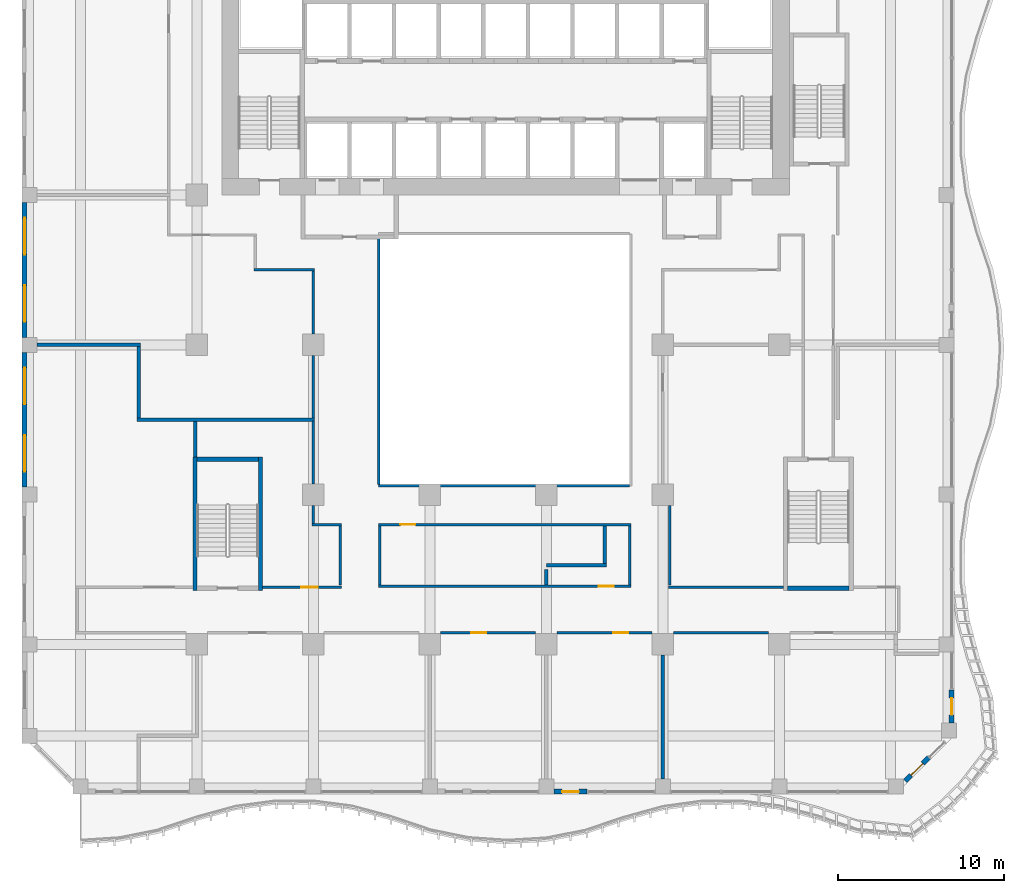
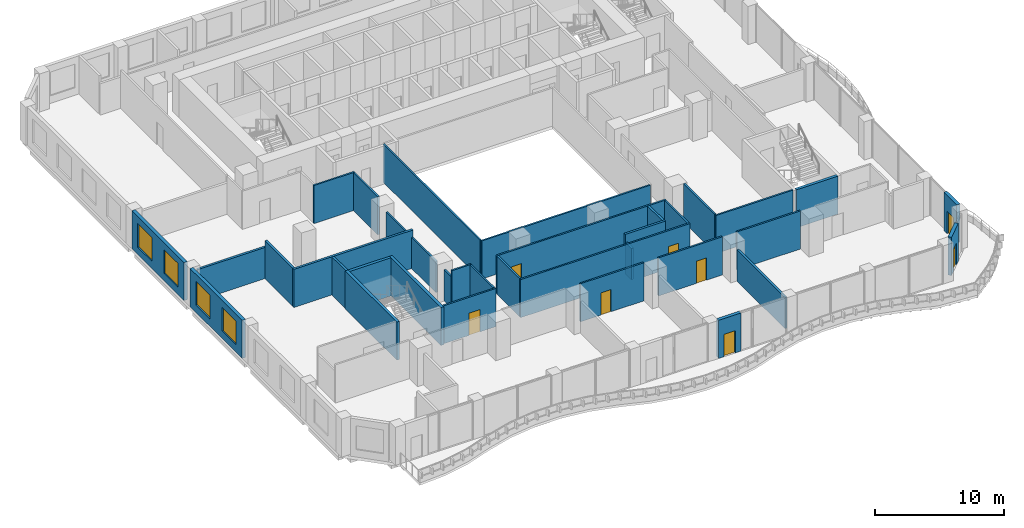
# One storey, part 13 of 23: 36 walls, 8 doors, 4 windows, 12 openings.
"""IFC4 building model written with IfcOpenShell, lengths in metres."""

from ifc_helpers import new_model, si_unit, direction, frame, frame_2d, origin, place, context, subcontext, project, spatial, rectangle, extrude, source, transform, mapped, material, layer, layer_set, type_object, element, fill, save


model = new_model("IFC4")

# Units and contexts
model_context = context("Model", 3, precision=1e-05, world=origin(), true_north=direction((0.0, 1.0)))
body_context = subcontext(model_context, "Body", "Model", "MODEL_VIEW")
ifc_project = project(units=[si_unit("LENGTHUNIT", "METRE"), si_unit("AREAUNIT", "SQUARE_METRE"), si_unit("VOLUMEUNIT", "CUBIC_METRE"), si_unit("PLANEANGLEUNIT", "RADIAN"), si_unit("MASSUNIT", "GRAM", prefix="KILO")], contexts=[model_context])

# Site, building, storey
site_placement = place(None, origin())
site = spatial("IfcSite", under=ifc_project, at=site_placement, CompositionType="ELEMENT")
building_placement = place(site_placement, origin())
building = spatial("IfcBuilding", under=site, at=building_placement, Name="Kilnfold Tower and Market Hall", CompositionType="ELEMENT")
storey_placement = place(building_placement, frame((0.0, 0.0, 55.0)))
storey = spatial("IfcBuildingStorey", under=building, at=storey_placement, Name="L12", CompositionType="ELEMENT", Elevation=55.0)

# Walls
ifc_material_1 = material(Name="Fire-resisting glazed screen")
ifc_layer_1 = layer(ifc_material_1, 0.14990234375)
ifc_layer_set_1 = layer_set([ifc_layer_1], Name="Fire-resisting glazed screen")
wall_type_1 = type_object("IfcWallType", Name="WALL ATRIUM 150", PredefinedType="PARTITIONING", material=ifc_layer_set_1)
wall_1_placement = place(storey_placement, frame((8.5, -9.47509765625, 0.0), z_axis=(0.0, 0.0, 1.0), x_axis=(-1.0, 0.0, 0.0)))
element("IfcWall", 1, at=wall_1_placement, inside=storey, type_object=wall_type_1, Name="Partition LY10.68", PredefinedType="PARTITIONING", context=body_context, shape_type="SweptSolid", body=[
    extrude(rectangle(XDim=15.074951171875, YDim=0.14990234375, at=frame_2d((7.53759765625, 0.0))), origin(), (0.0, 0.0, 1.0), 3.60009765625),
])
wall_2_placement = place(storey_placement, frame((-6.574951171875, -9.39990234375, 0.0), z_axis=(0.0, 0.0, 1.0), x_axis=(0.0, 1.0, 0.0)))
element("IfcWall", 2, at=wall_2_placement, inside=storey, type_object=wall_type_1, Name="Partition LY10.69", PredefinedType="PARTITIONING", context=body_context, shape_type="SweptSolid", body=[
    extrude(rectangle(XDim=15.0, YDim=0.14990234375, at=frame_2d((7.5, 0.0))), origin(), (0.0, 0.0, 1.0), 3.60009765625),
])
ifc_material_2 = material(Name="Gypsum board on steel studs", Category="steel")
ifc_layer_2 = layer(ifc_material_2, 0.14990234375)
ifc_layer_set_2 = layer_set([ifc_layer_2], Name="Gypsum board on steel studs")
wall_type_2 = type_object("IfcWallType", Name="WALL CORRIDOR 150", PredefinedType="PARTITIONING", material=ifc_layer_set_2)
wall_3_placement = place(storey_placement, frame((-10.5, -5.409912109375, 0.0), z_axis=(0.0, 0.0, 1.0), x_axis=(0.0, 1.0, 0.0)))
element("IfcWall", 3, at=wall_3_placement, inside=storey, type_object=wall_type_2, Name="Partition LY10.1", PredefinedType="PARTITIONING", context=body_context, shape_type="SweptSolid", body=[
    extrude(rectangle(XDim=3.760009765625, YDim=0.14990234375, at=frame_2d((1.8798828125, 0.0))), origin(), (0.0, 0.0, 1.0), 2.949951171875),
])
wall_4_placement = place(storey_placement, frame((-10.5, -0.35009765625, 0.0), z_axis=(0.0, 0.0, 1.0), x_axis=(0.0, 1.0, 0.0)))
element("IfcWall", 4, at=wall_4_placement, inside=storey, type_object=wall_type_2, Name="Partition LY10.2", PredefinedType="PARTITIONING", context=body_context, shape_type="SweptSolid", body=[
    extrude(rectangle(XDim=3.775146484375, YDim=0.14990234375, at=frame_2d((1.8876953125, 0.0))), origin(), (0.0, 0.0, 1.0), 3.60009765625),
])
wall_5_placement = place(storey_placement, frame((-14.074951171875, 3.5, 0.0), z_axis=(0.0, 0.0, 1.0), x_axis=(1.0, 0.0, 0.0)))
element("IfcWall", 5, at=wall_5_placement, inside=storey, type_object=wall_type_2, Name="Partition LY10.3", PredefinedType="PARTITIONING", context=body_context, shape_type="SweptSolid", body=[
    extrude(rectangle(XDim=3.64990234375, YDim=0.14990234375, at=frame_2d((1.824951171875, 0.0))), origin(), (0.0, 0.0, 1.0), 3.60009765625),
])

# Wall, opening, door
wall_6_placement = place(storey_placement, frame((-13.550048828125, -15.574951171875, 0.0), z_axis=(0.0, 0.0, 1.0), x_axis=(1.0, 0.0, 0.0)))
wall_6 = element("IfcWall", 6, at=wall_6_placement, inside=storey, type_object=wall_type_2, Name="Partition LY10.10", PredefinedType="PARTITIONING", context=body_context, shape_type="SweptSolid", body=[
    extrude(rectangle(XDim=4.72509765625, YDim=0.14990234375, at=frame_2d((2.362548828125, 0.0))), origin(), (0.0, 0.0, 1.0), 3.60009765625),
])
opening_1_placement = place(wall_6_placement, frame((2.31591796875, 0.0, 0.0)))
opening_1 = element("IfcOpeningElement", 7, at=opening_1_placement, cuts=wall_6, Name="Opening D1", PredefinedType="OPENING", context=body_context, shape_type="SweptSolid", body=[
    extrude(rectangle(XDim=1.0, YDim=2.10009765625, at=frame_2d((0.5, 1.050048828125))), frame((0.0, 0.0849609375, 0.0), z_axis=(0.0, -1.0, 0.0), x_axis=(1.0, 0.0, 0.0)), (0.0, 0.0, 1.0), 0.169921875),
])
ifc_material_3 = material(Name="Timber veneer door leaf in steel frame", Category="steel")
door_type_1 = type_object("IfcDoorType", Name="DOOR ENTRY 1000 X2100", OperationType="NOTDEFINED", PredefinedType="DOOR", material=ifc_material_3)
door_1_placement = place(opening_1_placement, origin())
door_1 = element("IfcDoor", 8, at=door_1_placement, inside=storey, type_object=door_type_1, Name="Door D1", OperationType="SINGLE_SWING_LEFT", OverallHeight=2.10009765625, OverallWidth=1.0, PredefinedType="DOOR", context=body_context, shape_type="SweptSolid", body=[
    extrude(rectangle(XDim=1.0, YDim=2.10009765625, at=frame_2d((0.5, 1.050048828125))), frame((0.0, 0.02490234375, 0.0), z_axis=(0.0, -1.0, 0.0), x_axis=(1.0, 0.0, 0.0)), (0.0, 0.0, 1.0), 0.050048828125),
])
fill(opening_1, door_1)

# Walls
wall_7_placement = place(storey_placement, frame((-8.89990234375, -11.875, 0.0), z_axis=(0.0, 0.0, 1.0), x_axis=(0.0, -1.0, 0.0)))
element("IfcWall", 9, at=wall_7_placement, inside=storey, type_object=wall_type_2, Name="Partition LY10.11", PredefinedType="PARTITIONING", context=body_context, shape_type="SweptSolid", body=[
    extrude(rectangle(XDim=3.550048828125, YDim=0.14990234375, at=frame_2d((1.77490234375, 0.0))), origin(), (0.0, 0.0, 1.0), 3.60009765625),
])
wall_8_placement = place(storey_placement, frame((-10.574951171875, -11.800048828125, 0.0), z_axis=(0.0, 0.0, 1.0), x_axis=(1.0, 0.0, 0.0)))
element("IfcWall", 10, at=wall_8_placement, inside=storey, type_object=wall_type_2, Name="Partition LY10.12", PredefinedType="PARTITIONING", context=body_context, shape_type="SweptSolid", body=[
    extrude(rectangle(XDim=1.75, YDim=0.14990234375, at=frame_2d((0.875, 0.0))), origin(), (0.0, 0.0, 1.0), 3.60009765625),
])
wall_9_placement = place(storey_placement, frame((-10.5, -11.72509765625, 0.0), z_axis=(0.0, 0.0, 1.0), x_axis=(0.0, 1.0, 0.0)))
element("IfcWall", 11, at=wall_9_placement, inside=storey, type_object=wall_type_2, Name="Partition LY10.13", PredefinedType="PARTITIONING", context=body_context, shape_type="SweptSolid", body=[
    extrude(rectangle(XDim=1.0751953125, YDim=0.14990234375, at=frame_2d((0.53759765625, 0.0))), origin(), (0.0, 0.0, 1.0), 2.949951171875),
])
wall_10_placement = place(storey_placement, frame((-10.5, -9.35009765625, 0.0), z_axis=(0.0, 0.0, 1.0), x_axis=(0.0, 1.0, 0.0)))
element("IfcWall", 12, at=wall_10_placement, inside=storey, type_object=wall_type_2, Name="Partition LY10.14", PredefinedType="PARTITIONING", context=body_context, shape_type="SweptSolid", body=[
    extrude(rectangle(XDim=3.760009765625, YDim=0.14990234375, at=frame_2d((1.8798828125, 0.0))), origin(), (0.0, 0.0, 1.0), 2.949951171875),
])

# Wall, opening, door
wall_11_placement = place(storey_placement, frame((-6.574951171875, -11.800048828125, 0.0), z_axis=(0.0, 0.0, 1.0), x_axis=(1.0, 0.0, 0.0)))
wall_11 = element("IfcWall", 13, at=wall_11_placement, inside=storey, type_object=wall_type_2, Name="Partition LY10.17", PredefinedType="PARTITIONING", context=body_context, shape_type="SweptSolid", body=[
    extrude(rectangle(XDim=15.14990234375, YDim=0.14990234375, at=frame_2d((7.574951171875, 0.0))), origin(), (0.0, 0.0, 1.0), 3.60009765625),
])
opening_2_placement = place(wall_11_placement, frame((1.30810546875, 0.0, 0.0)))
opening_2 = element("IfcOpeningElement", 14, at=opening_2_placement, cuts=wall_11, Name="Opening D2", PredefinedType="OPENING", context=body_context, shape_type="SweptSolid", body=[
    extrude(rectangle(XDim=0.89990234375, YDim=2.10009765625, at=frame_2d((0.449951171875, 1.050048828125))), frame((0.0, 0.0849609375, 0.0), z_axis=(0.0, -1.0, 0.0), x_axis=(1.0, 0.0, 0.0)), (0.0, 0.0, 1.0), 0.169921875),
])
ifc_material_4 = material(Name="Timber veneer door leaf in steel frame", Category="steel")
door_type_2 = type_object("IfcDoorType", Name="DOOR ROOM 900 X2100", OperationType="NOTDEFINED", PredefinedType="DOOR", material=ifc_material_4)
door_2_placement = place(opening_2_placement, origin())
door_2 = element("IfcDoor", 15, at=door_2_placement, inside=storey, type_object=door_type_2, Name="Door D2", OperationType="SINGLE_SWING_RIGHT", OverallHeight=2.10009765625, OverallWidth=0.89990234375, PredefinedType="DOOR", context=body_context, shape_type="SweptSolid", body=[
    extrude(rectangle(XDim=0.89990234375, YDim=2.10009765625, at=frame_2d((0.449951171875, 1.050048828125))), frame((0.0, 0.02490234375, 0.0), z_axis=(0.0, -1.0, 0.0), x_axis=(1.0, 0.0, 0.0)), (0.0, 0.0, 1.0), 0.050048828125),
])
fill(opening_2, door_2)

# Wall
wall_12_placement = place(storey_placement, frame((-6.5, -15.425048828125, 0.0), z_axis=(0.0, 0.0, 1.0), x_axis=(0.0, 1.0, 0.0)))
element("IfcWall", 16, at=wall_12_placement, inside=storey, type_object=wall_type_2, Name="Partition LY10.18", PredefinedType="PARTITIONING", context=body_context, shape_type="SweptSolid", body=[
    extrude(rectangle(XDim=3.550048828125, YDim=0.14990234375, at=frame_2d((1.77490234375, 0.0))), origin(), (0.0, 0.0, 1.0), 3.60009765625),
])

# Wall, opening, door
wall_13_placement = place(storey_placement, frame((-6.574951171875, -15.5, 0.0), z_axis=(0.0, 0.0, 1.0), x_axis=(1.0, 0.0, 0.0)))
wall_13 = element("IfcWall", 17, at=wall_13_placement, inside=storey, type_object=wall_type_2, Name="Partition LY10.19", PredefinedType="PARTITIONING", context=body_context, shape_type="SweptSolid", body=[
    extrude(rectangle(XDim=15.14990234375, YDim=0.14990234375, at=frame_2d((7.574951171875, 0.0))), origin(), (0.0, 0.0, 1.0), 3.60009765625),
])
opening_3_placement = place(wall_13_placement, frame((13.23193359375, 0.0, 0.0)))
opening_3 = element("IfcOpeningElement", 18, at=opening_3_placement, cuts=wall_13, Name="Opening D3", PredefinedType="OPENING", context=body_context, shape_type="SweptSolid", body=[
    extrude(rectangle(XDim=0.89990234375, YDim=2.10009765625, at=frame_2d((0.449951171875, 1.050048828125))), frame((0.0, 0.0849609375, 0.0), z_axis=(0.0, -1.0, 0.0), x_axis=(1.0, 0.0, 0.0)), (0.0, 0.0, 1.0), 0.169921875),
])
ifc_material_5 = material(Name="Timber veneer door leaf in steel frame", Category="steel")
door_type_3 = type_object("IfcDoorType", Name="DOOR WC 900 X2100", OperationType="NOTDEFINED", PredefinedType="DOOR", material=ifc_material_5)
door_3_placement = place(opening_3_placement, origin())
door_3 = element("IfcDoor", 19, at=door_3_placement, inside=storey, type_object=door_type_3, Name="Door D3", OperationType="SINGLE_SWING_LEFT", OverallHeight=2.10009765625, OverallWidth=0.89990234375, PredefinedType="DOOR", context=body_context, shape_type="SweptSolid", body=[
    extrude(rectangle(XDim=0.89990234375, YDim=2.10009765625, at=frame_2d((0.449951171875, 1.050048828125))), frame((0.0, 0.02490234375, 0.0), z_axis=(0.0, -1.0, 0.0), x_axis=(1.0, 0.0, 0.0)), (0.0, 0.0, 1.0), 0.050048828125),
])
fill(opening_3, door_3)

wall_14_placement = place(storey_placement, frame((-2.85009765625, -18.300048828125, 0.0), z_axis=(0.0, 0.0, 1.0), x_axis=(1.0, 0.0, 0.0)))
wall_14 = element("IfcWall", 20, at=wall_14_placement, inside=storey, type_object=wall_type_2, Name="Partition LY10.20", PredefinedType="PARTITIONING", context=body_context, shape_type="SweptSolid", body=[
    extrude(rectangle(XDim=5.7001953125, YDim=0.14990234375, at=frame_2d((2.85009765625, 0.0))), origin(), (0.0, 0.0, 1.0), 3.60009765625),
])
opening_4_placement = place(wall_14_placement, frame((1.8369140625, 0.0, 0.0)))
opening_4 = element("IfcOpeningElement", 21, at=opening_4_placement, cuts=wall_14, Name="Opening D2", PredefinedType="OPENING", context=body_context, shape_type="SweptSolid", body=[
    extrude(rectangle(XDim=0.89990234375, YDim=2.10009765625, at=frame_2d((0.449951171875, 1.050048828125))), frame((0.0, 0.0849609375, 0.0), z_axis=(0.0, -1.0, 0.0), x_axis=(1.0, 0.0, 0.0)), (0.0, 0.0, 1.0), 0.169921875),
])
door_4_placement = place(opening_4_placement, origin())
door_4 = element("IfcDoor", 22, at=door_4_placement, inside=storey, type_object=door_type_2, Name="Door D2", OperationType="SINGLE_SWING_LEFT", OverallHeight=2.10009765625, OverallWidth=0.89990234375, PredefinedType="DOOR", context=body_context, shape_type="SweptSolid", body=[
    extrude(rectangle(XDim=0.89990234375, YDim=2.10009765625, at=frame_2d((0.449951171875, 1.050048828125))), frame((0.0, 0.02490234375, 0.0), z_axis=(0.0, -1.0, 0.0), x_axis=(1.0, 0.0, 0.0)), (0.0, 0.0, 1.0), 0.050048828125),
])
fill(opening_4, door_4)

wall_15_placement = place(storey_placement, frame((4.14990234375, -18.300048828125, 0.0), z_axis=(0.0, 0.0, 1.0), x_axis=(1.0, 0.0, 0.0)))
wall_15 = element("IfcWall", 23, at=wall_15_placement, inside=storey, type_object=wall_type_2, Name="Partition LY10.21", PredefinedType="PARTITIONING", context=body_context, shape_type="SweptSolid", body=[
    extrude(rectangle(XDim=5.7001953125, YDim=0.14990234375, at=frame_2d((2.85009765625, 0.0))), origin(), (0.0, 0.0, 1.0), 3.60009765625),
])
opening_5_placement = place(wall_15_placement, frame((3.3720703125, 0.0, 0.0)))
opening_5 = element("IfcOpeningElement", 24, at=opening_5_placement, cuts=wall_15, Name="Opening D2", PredefinedType="OPENING", context=body_context, shape_type="SweptSolid", body=[
    extrude(rectangle(XDim=0.89990234375, YDim=2.10009765625, at=frame_2d((0.449951171875, 1.050048828125))), frame((0.0, 0.0849609375, 0.0), z_axis=(0.0, -1.0, 0.0), x_axis=(1.0, 0.0, 0.0)), (0.0, 0.0, 1.0), 0.169921875),
])
door_5_placement = place(opening_5_placement, origin())
door_5 = element("IfcDoor", 25, at=door_5_placement, inside=storey, type_object=door_type_2, Name="Door D2", OperationType="SINGLE_SWING_RIGHT", OverallHeight=2.10009765625, OverallWidth=0.89990234375, PredefinedType="DOOR", context=body_context, shape_type="SweptSolid", body=[
    extrude(rectangle(XDim=0.89990234375, YDim=2.10009765625, at=frame_2d((0.449951171875, 1.050048828125))), frame((0.0, 0.02490234375, 0.0), z_axis=(0.0, -1.0, 0.0), x_axis=(1.0, 0.0, 0.0)), (0.0, 0.0, 1.0), 0.050048828125),
])
fill(opening_5, door_5)

# Walls
wall_16_placement = place(storey_placement, frame((8.5, -11.875, 0.0), z_axis=(0.0, 0.0, 1.0), x_axis=(0.0, -1.0, 0.0)))
element("IfcWall", 26, at=wall_16_placement, inside=storey, type_object=wall_type_2, Name="Partition LY10.22", PredefinedType="PARTITIONING", context=body_context, shape_type="SweptSolid", body=[
    extrude(rectangle(XDim=3.550048828125, YDim=0.14990234375, at=frame_2d((1.77490234375, 0.0))), origin(), (0.0, 0.0, 1.0), 3.60009765625),
])
wall_17_placement = place(storey_placement, frame((11.14990234375, -18.300048828125, 0.0), z_axis=(0.0, 0.0, 1.0), x_axis=(1.0, 0.0, 0.0)))
element("IfcWall", 27, at=wall_17_placement, inside=storey, type_object=wall_type_2, Name="Partition LY10.23", PredefinedType="PARTITIONING", context=body_context, shape_type="SweptSolid", body=[
    extrude(rectangle(XDim=5.7001953125, YDim=0.14990234375, at=frame_2d((2.85009765625, 0.0))), origin(), (0.0, 0.0, 1.0), 3.60009765625),
])
wall_18_placement = place(storey_placement, frame((10.89990234375, -15.425048828125, 0.0), z_axis=(0.0, 0.0, 1.0), x_axis=(0.0, 1.0, 0.0)))
element("IfcWall", 28, at=wall_18_placement, inside=storey, type_object=wall_type_2, Name="Partition LY10.26", PredefinedType="PARTITIONING", context=body_context, shape_type="SweptSolid", body=[
    extrude(rectangle(XDim=4.775146484375, YDim=0.14990234375, at=frame_2d((2.3876953125, 0.0))), origin(), (0.0, 0.0, 1.0), 3.60009765625),
])
wall_19_placement = place(storey_placement, frame((10.824951171875, -15.574951171875, 0.0), z_axis=(0.0, 0.0, 1.0), x_axis=(1.0, 0.0, 0.0)))
element("IfcWall", 29, at=wall_19_placement, inside=storey, type_object=wall_type_2, Name="Partition LY10.27", PredefinedType="PARTITIONING", context=body_context, shape_type="SweptSolid", body=[
    extrude(rectangle(XDim=6.925048828125, YDim=0.14990234375, at=frame_2d((3.46240234375, 0.0))), origin(), (0.0, 0.0, 1.0), 3.60009765625),
])
ifc_material_6 = material(Name="Gypsum board on steel studs", Category="steel")
ifc_layer_3 = layer(ifc_material_6, 0.199951171875)
ifc_layer_set_3 = layer_set([ifc_layer_3], Name="Gypsum board on steel studs")
wall_type_3 = type_object("IfcWallType", Name="WALL PARTY 200", PredefinedType="PARTITIONING", material=ifc_layer_set_3)
wall_20_placement = place(storey_placement, frame((-21.10009765625, -5.5, 0.0), z_axis=(0.0, 0.0, 1.0), x_axis=(1.0, 0.0, 0.0)))
element("IfcWall", 30, at=wall_20_placement, inside=storey, type_object=wall_type_3, Name="Partition LY10.42", PredefinedType="PARTITIONING", context=body_context, shape_type="SweptSolid", body=[
    extrude(rectangle(XDim=10.674072265625, YDim=0.199951171875, at=frame_2d((5.3369140625, 0.0))), origin(), (0.0, 0.0, 1.0), 3.60009765625),
])
wall_21_placement = place(storey_placement, frame((-21.0, -5.39990234375, 0.0), z_axis=(0.0, 0.0, 1.0), x_axis=(0.0, 1.0, 0.0)))
element("IfcWall", 31, at=wall_21_placement, inside=storey, type_object=wall_type_3, Name="Partition LY10.43", PredefinedType="PARTITIONING", context=body_context, shape_type="SweptSolid", body=[
    extrude(rectangle(XDim=4.2998046875, YDim=0.199951171875, at=frame_2d((2.14990234375, 0.0))), origin(), (0.0, 0.0, 1.0), 3.60009765625),
])
wall_22_placement = place(storey_placement, frame((-27.10009765625, -1.0, 0.0), z_axis=(0.0, 0.0, 1.0), x_axis=(1.0, 0.0, 0.0)))
element("IfcWall", 32, at=wall_22_placement, inside=storey, type_object=wall_type_3, Name="Partition LY10.44", PredefinedType="PARTITIONING", context=body_context, shape_type="SweptSolid", body=[
    extrude(rectangle(XDim=6.2001953125, YDim=0.199951171875, at=frame_2d((3.10009765625, 0.0))), origin(), (0.0, 0.0, 1.0), 2.949951171875),
])
wall_23_placement = place(storey_placement, frame((-17.60009765625, -7.75, 0.0), z_axis=(0.0, 0.0, 1.0), x_axis=(0.0, 1.0, 0.0)))
element("IfcWall", 33, at=wall_23_placement, inside=storey, type_object=wall_type_3, Name="Partition LY10.46", PredefinedType="PARTITIONING", context=body_context, shape_type="SweptSolid", body=[
    extrude(rectangle(XDim=2.14990234375, YDim=0.199951171875, at=frame_2d((1.074951171875, 0.0))), origin(), (0.0, 0.0, 1.0), 3.60009765625),
])
wall_24_placement = place(storey_placement, frame((7.0, -14.14208984375, 0.0), z_axis=(0.0, 0.0, 1.0), x_axis=(0.0, 1.0, 0.0)))
element("IfcWall", 34, at=wall_24_placement, inside=storey, type_object=wall_type_3, Name="Partition LY10.51", PredefinedType="PARTITIONING", context=body_context, shape_type="SweptSolid", body=[
    extrude(rectangle(XDim=2.26611328125, YDim=0.199951171875, at=frame_2d((1.133056640625, 0.0))), origin(), (0.0, 0.0, 1.0), 3.60009765625),
])
wall_25_placement = place(storey_placement, frame((3.498046875, -14.241943359375, 0.0), z_axis=(0.0, 0.0, 1.0), x_axis=(1.0, 0.0, 0.0)))
element("IfcWall", 35, at=wall_25_placement, inside=storey, type_object=wall_type_3, Name="Partition LY10.52", PredefinedType="PARTITIONING", context=body_context, shape_type="SweptSolid", body=[
    extrude(rectangle(XDim=3.60205078125, YDim=0.199951171875, at=frame_2d((1.801025390625, 0.0))), origin(), (0.0, 0.0, 1.0), 3.60009765625),
])
wall_26_placement = place(storey_placement, frame((3.5, -15.424072265625, 0.0), z_axis=(0.0, 0.0, 1.0), x_axis=(0.0, 1.0, 0.0)))
element("IfcWall", 36, at=wall_26_placement, inside=storey, type_object=wall_type_3, Name="Partition LY10.53", PredefinedType="PARTITIONING", context=body_context, shape_type="SweptSolid", body=[
    extrude(rectangle(XDim=0.922119140625, YDim=0.199951171875, at=frame_2d((0.4609375, 0.0))), origin(), (0.0, 0.0, 1.0), 2.949951171875),
])
wall_27_placement = place(storey_placement, frame((10.5, -27.10009765625, 0.0), z_axis=(0.0, 0.0, 1.0), x_axis=(0.0, 1.0, 0.0)))
element("IfcWall", 37, at=wall_27_placement, inside=storey, type_object=wall_type_3, Name="Partition LY10.55", PredefinedType="PARTITIONING", context=body_context, shape_type="SweptSolid", body=[
    extrude(rectangle(XDim=7.4501953125, YDim=0.199951171875, at=frame_2d((3.72509765625, 0.0))), origin(), (0.0, 0.0, 1.0), 2.949951171875),
])
ifc_material_7 = material(Name="Concrete C80", Category="concrete")
ifc_layer_4 = layer(ifc_material_7, 0.25)
ifc_layer_set_4 = layer_set([ifc_layer_4], Name="Concrete C80")
wall_type_4 = type_object("IfcWallType", Name="CORE WALL 250 C80", PredefinedType="SHEAR", material=ifc_layer_set_4)
shared_shape_1 = source(origin(), body_context, "Body", "SweptSolid", [
    extrude(rectangle(XDim=3.699951171875, YDim=0.25, at=frame_2d((1.85009765625, 0.0))), origin(), (0.0, 0.0, 1.0), 3.60009765625),
])
for number, where, z_axis, x_axis, name in (
    (38, (-17.5, -7.875, 0.0), (0.0, 0.0, 1.0), (1.0, 0.0, 0.0), "Stair enclosure ST3"),
    (39, (18.0, -15.625, 0.0), (0.0, 0.0, 1.0), (1.0, 0.0, 0.0), "Stair enclosure ST4"),
):
    element("IfcWall", number, at=place(storey_placement, frame(where, z_axis=z_axis, x_axis=x_axis)), inside=storey, type_object=wall_type_4, Name=name, PredefinedType="SHEAR", context=body_context, shape_type="MappedRepresentation", body=[
        mapped(shared_shape_1, transform((0.0, 0.0, 0.0))),
    ])
shared_shape_2 = source(origin(), body_context, "Body", "SweptSolid", [
    extrude(rectangle(XDim=8.0, YDim=0.25, at=frame_2d((4.0, 0.0))), origin(), (0.0, 0.0, 1.0), 3.60009765625),
])
for number, where, z_axis, x_axis, name in (
    (40, (-17.625, -15.75, 0.0), (0.0, 0.0, 1.0), (0.0, 1.0, 0.0), "Stair enclosure ST3"),
    (41, (-13.675048828125, -15.75, 0.0), (0.0, 0.0, 1.0), (0.0, 1.0, 0.0), "Stair enclosure ST3"),
):
    element("IfcWall", number, at=place(storey_placement, frame(where, z_axis=z_axis, x_axis=x_axis)), inside=storey, type_object=wall_type_4, Name=name, PredefinedType="SHEAR", context=body_context, shape_type="MappedRepresentation", body=[
        mapped(shared_shape_2, transform((0.0, 0.0, 0.0))),
    ])

# Wall, opening, door
ifc_material_8 = material(Name="Precast concrete C50/60", Category="concrete")
ifc_layer_5 = layer(ifc_material_8, 0.300048828125)
ifc_layer_set_5 = layer_set([ifc_layer_5], Name="Precast concrete C50/60")
wall_type_5 = type_object("IfcWallType", Name="PRECAST WALL 300", PredefinedType="SOLIDWALL", material=ifc_layer_set_5)
shared_shape_3 = source(origin(), body_context, "Body", "SweptSolid", [
    extrude(rectangle(XDim=2.0, YDim=0.300048828125, at=frame_2d((1.0, 0.0))), origin(), (0.0, 0.0, 1.0), 3.60009765625),
])
wall_28_placement = place(storey_placement, frame((3.949951171875, -27.85009765625, 0.0), z_axis=(0.0, 0.0, 1.0), x_axis=(1.0, 0.0, 0.0)))
wall_28 = element("IfcWall", 42, at=wall_28_placement, inside=storey, type_object=wall_type_5, Name="External wall L12 S", PredefinedType="SOLIDWALL", context=body_context, shape_type="MappedRepresentation", body=[
    mapped(shared_shape_3, transform((0.0, 0.0, 0.0))),
])
opening_6_placement = place(wall_28_placement, frame((0.5, 0.0, 0.0)))
opening_6 = element("IfcOpeningElement", 43, at=opening_6_placement, cuts=wall_28, Name="Opening BD1", PredefinedType="OPENING", context=body_context, shape_type="SweptSolid", body=[
    extrude(rectangle(XDim=1.0, YDim=2.10009765625, at=frame_2d((0.5, 1.050048828125))), frame((0.0, 0.16015625, 0.0), z_axis=(0.0, -1.0, 0.0), x_axis=(1.0, 0.0, 0.0)), (0.0, 0.0, 1.0), 0.320068359375),
])
ifc_material_9 = material(Name="Aluminium frame and double glazing", Category="aluminium")
door_type_4 = type_object("IfcDoorType", Name="BALCONY DOOR 1000X2100", OperationType="NOTDEFINED", PredefinedType="DOOR", material=ifc_material_9)
door_6_placement = place(opening_6_placement, origin())
door_6 = element("IfcDoor", 44, at=door_6_placement, inside=storey, type_object=door_type_4, Name="Balcony door BD1 L12 S-1", OperationType="SINGLE_SWING_LEFT", OverallHeight=2.10009765625, OverallWidth=1.0, PredefinedType="DOOR", context=body_context, shape_type="SweptSolid", body=[
    extrude(rectangle(XDim=1.0, YDim=2.10009765625, at=frame_2d((0.5, 1.050048828125))), frame((0.0, 0.02490234375, 0.0), z_axis=(0.0, -1.0, 0.0), x_axis=(1.0, 0.0, 0.0)), (0.0, 0.0, 1.0), 0.050048828125),
])
fill(opening_6, door_6)

wall_29_placement = place(storey_placement, frame((27.85009765625, -23.731689453125, 0.0), z_axis=(0.0, 0.0, 1.0), x_axis=(0.0, 1.0, 0.0)))
wall_29 = element("IfcWall", 45, at=wall_29_placement, inside=storey, type_object=wall_type_5, Name="External wall L12 E", PredefinedType="SOLIDWALL", context=body_context, shape_type="MappedRepresentation", body=[
    mapped(shared_shape_3, transform((0.0, 0.0, 0.0))),
])
opening_7_placement = place(wall_29_placement, frame((0.5, 0.0, 0.0)))
opening_7 = element("IfcOpeningElement", 46, at=opening_7_placement, cuts=wall_29, Name="Opening BD1", PredefinedType="OPENING", context=body_context, shape_type="SweptSolid", body=[
    extrude(rectangle(XDim=1.0, YDim=2.10009765625, at=frame_2d((0.5, 1.050048828125))), frame((0.0, 0.16015625, 0.0), z_axis=(0.0, -1.0, 0.0), x_axis=(1.0, 0.0, 0.0)), (0.0, 0.0, 1.0), 0.320068359375),
])
door_7_placement = place(opening_7_placement, origin())
door_7 = element("IfcDoor", 47, at=door_7_placement, inside=storey, type_object=door_type_4, Name="Balcony door BD1 L12 E-1", OperationType="SINGLE_SWING_LEFT", OverallHeight=2.10009765625, OverallWidth=1.0, PredefinedType="DOOR", context=body_context, shape_type="SweptSolid", body=[
    extrude(rectangle(XDim=1.0, YDim=2.10009765625, at=frame_2d((0.5, 1.050048828125))), frame((0.0, 0.02490234375, 0.0), z_axis=(0.0, -1.0, 0.0), x_axis=(1.0, 0.0, 0.0)), (0.0, 0.0, 1.0), 0.050048828125),
])
fill(opening_7, door_7)

shared_shape_4 = source(origin(), body_context, "Body", "SweptSolid", [
    extrude(rectangle(XDim=2.000244140625, YDim=0.300048828125, at=frame_2d((1.0, 0.0))), origin(), (0.0, 0.0, 1.0), 3.60009765625),
])
wall_30_placement = place(storey_placement, frame((25.06884765625, -27.218994140625, 0.0), z_axis=(0.0, 0.0, 1.0), x_axis=(0.707106781187, 0.707106781187, 0.0)))
wall_30 = element("IfcWall", 48, at=wall_30_placement, inside=storey, type_object=wall_type_5, Name="External wall L12 SE", PredefinedType="SOLIDWALL", context=body_context, shape_type="MappedRepresentation", body=[
    mapped(shared_shape_4, transform((0.0, 0.0, 0.0))),
])
opening_8_placement = place(wall_30_placement, frame((0.5, 0.0, 0.0)))
opening_8 = element("IfcOpeningElement", 49, at=opening_8_placement, cuts=wall_30, Name="Opening BD1", PredefinedType="OPENING", context=body_context, shape_type="SweptSolid", body=[
    extrude(rectangle(XDim=1.0, YDim=2.10009765625, at=frame_2d((0.5, 1.050048828125))), frame((0.0, 0.16015625, 0.0), z_axis=(0.0, -1.0, 0.0), x_axis=(1.0, 0.0, 0.0)), (0.0, 0.0, 1.0), 0.320068359375),
])
door_8_placement = place(opening_8_placement, origin())
door_8 = element("IfcDoor", 50, at=door_8_placement, inside=storey, type_object=door_type_4, Name="Balcony door BD1 L12 SE-1", OperationType="SINGLE_SWING_LEFT", OverallHeight=2.10009765625, OverallWidth=1.0, PredefinedType="DOOR", context=body_context, shape_type="SweptSolid", body=[
    extrude(rectangle(XDim=1.0, YDim=2.10009765625, at=frame_2d((0.5, 1.050048828125))), frame((0.0, 0.02490234375, 0.0), z_axis=(0.0, -1.0, 0.0), x_axis=(1.0, 0.0, 0.0)), (0.0, 0.0, 1.0), 0.050048828125),
])
fill(opening_8, door_8)

# Wall, openings, windows
shared_shape_5 = source(origin(), body_context, "Body", "SweptSolid", [
    extrude(rectangle(XDim=8.10009765625, YDim=0.300048828125, at=frame_2d((4.050048828125, 0.0))), origin(), (0.0, 0.0, 1.0), 3.60009765625),
])
wall_31_placement = place(storey_placement, frame((-27.85009765625, 7.550048828125, 0.0), z_axis=(0.0, 0.0, 1.0), x_axis=(0.0, -1.0, 0.0)))
wall_31 = element("IfcWall", 51, at=wall_31_placement, inside=storey, type_object=wall_type_5, Name="External wall L12 W", PredefinedType="SOLIDWALL", context=body_context, shape_type="MappedRepresentation", body=[
    mapped(shared_shape_5, transform((0.0, 0.0, 0.0))),
])
opening_9_placement = place(wall_31_placement, frame((0.925048828125, 0.0, 0.699951171875)))
opening_9 = element("IfcOpeningElement", 52, at=opening_9_placement, cuts=wall_31, Name="Opening W1", PredefinedType="OPENING", context=body_context, shape_type="SweptSolid", body=[
    extrude(rectangle(XDim=2.199951171875, YDim=2.25, at=frame_2d((1.10009765625, 1.125))), frame((0.0, 0.16015625, 0.0), z_axis=(0.0, -1.0, 0.0), x_axis=(1.0, 0.0, 0.0)), (0.0, 0.0, 1.0), 0.320068359375),
])
opening_10_placement = place(wall_31_placement, frame((4.97509765625, 0.0, 0.699951171875)))
opening_10 = element("IfcOpeningElement", 53, at=opening_10_placement, cuts=wall_31, Name="Opening W1", PredefinedType="OPENING", context=body_context, shape_type="SweptSolid", body=[
    extrude(rectangle(XDim=2.199951171875, YDim=2.25, at=frame_2d((1.10009765625, 1.125))), frame((0.0, 0.16015625, 0.0), z_axis=(0.0, -1.0, 0.0), x_axis=(1.0, 0.0, 0.0)), (0.0, 0.0, 1.0), 0.320068359375),
])
ifc_material_10 = material(Name="Aluminium frame and double glazing", Category="aluminium")
window_type = type_object("IfcWindowType", Name="WINDOW W1 2200X2250", PartitioningType="SINGLE_PANEL", PredefinedType="WINDOW", material=ifc_material_10)
window_1_placement = place(opening_9_placement, origin())
window_1 = element("IfcWindow", 54, at=window_1_placement, inside=storey, type_object=window_type, Name="Window W1 L12 W-1", OverallHeight=2.25, OverallWidth=2.199951171875, PartitioningType="SINGLE_PANEL", PredefinedType="WINDOW", context=body_context, shape_type="SweptSolid", body=[
    extrude(rectangle(XDim=2.199951171875, YDim=2.25, at=frame_2d((1.10009765625, 1.125))), frame((0.0, 0.030029296875, 0.0), z_axis=(0.0, -1.0, 0.0), x_axis=(1.0, 0.0, 0.0)), (0.0, 0.0, 1.0), 0.06005859375),
])
fill(opening_9, window_1)
window_2_placement = place(opening_10_placement, origin())
window_2 = element("IfcWindow", 55, at=window_2_placement, inside=storey, type_object=window_type, Name="Window W1 L12 W-2", OverallHeight=2.25, OverallWidth=2.199951171875, PartitioningType="SINGLE_PANEL", PredefinedType="WINDOW", context=body_context, shape_type="SweptSolid", body=[
    extrude(rectangle(XDim=2.199951171875, YDim=2.25, at=frame_2d((1.10009765625, 1.125))), frame((0.0, 0.030029296875, 0.0), z_axis=(0.0, -1.0, 0.0), x_axis=(1.0, 0.0, 0.0)), (0.0, 0.0, 1.0), 0.06005859375),
])
fill(opening_10, window_2)

wall_32_placement = place(storey_placement, frame((-27.85009765625, -1.449951171875, 0.0), z_axis=(0.0, 0.0, 1.0), x_axis=(0.0, -1.0, 0.0)))
wall_32 = element("IfcWall", 56, at=wall_32_placement, inside=storey, type_object=wall_type_5, Name="External wall L12 W", PredefinedType="SOLIDWALL", context=body_context, shape_type="MappedRepresentation", body=[
    mapped(shared_shape_5, transform((0.0, 0.0, 0.0))),
])
opening_11_placement = place(wall_32_placement, frame((0.925048828125, 0.0, 0.699951171875)))
opening_11 = element("IfcOpeningElement", 57, at=opening_11_placement, cuts=wall_32, Name="Opening W1", PredefinedType="OPENING", context=body_context, shape_type="SweptSolid", body=[
    extrude(rectangle(XDim=2.199951171875, YDim=2.25, at=frame_2d((1.10009765625, 1.125))), frame((0.0, 0.16015625, 0.0), z_axis=(0.0, -1.0, 0.0), x_axis=(1.0, 0.0, 0.0)), (0.0, 0.0, 1.0), 0.320068359375),
])
opening_12_placement = place(wall_32_placement, frame((4.97509765625, 0.0, 0.699951171875)))
opening_12 = element("IfcOpeningElement", 58, at=opening_12_placement, cuts=wall_32, Name="Opening W1", PredefinedType="OPENING", context=body_context, shape_type="SweptSolid", body=[
    extrude(rectangle(XDim=2.199951171875, YDim=2.25, at=frame_2d((1.10009765625, 1.125))), frame((0.0, 0.16015625, 0.0), z_axis=(0.0, -1.0, 0.0), x_axis=(1.0, 0.0, 0.0)), (0.0, 0.0, 1.0), 0.320068359375),
])
window_3_placement = place(opening_11_placement, origin())
window_3 = element("IfcWindow", 59, at=window_3_placement, inside=storey, type_object=window_type, Name="Window W1 L12 W-1", OverallHeight=2.25, OverallWidth=2.199951171875, PartitioningType="SINGLE_PANEL", PredefinedType="WINDOW", context=body_context, shape_type="SweptSolid", body=[
    extrude(rectangle(XDim=2.199951171875, YDim=2.25, at=frame_2d((1.10009765625, 1.125))), frame((0.0, 0.030029296875, 0.0), z_axis=(0.0, -1.0, 0.0), x_axis=(1.0, 0.0, 0.0)), (0.0, 0.0, 1.0), 0.06005859375),
])
fill(opening_11, window_3)
window_4_placement = place(opening_12_placement, origin())
window_4 = element("IfcWindow", 60, at=window_4_placement, inside=storey, type_object=window_type, Name="Window W1 L12 W-2", OverallHeight=2.25, OverallWidth=2.199951171875, PartitioningType="SINGLE_PANEL", PredefinedType="WINDOW", context=body_context, shape_type="SweptSolid", body=[
    extrude(rectangle(XDim=2.199951171875, YDim=2.25, at=frame_2d((1.10009765625, 1.125))), frame((0.0, 0.030029296875, 0.0), z_axis=(0.0, -1.0, 0.0), x_axis=(1.0, 0.0, 0.0)), (0.0, 0.0, 1.0), 0.06005859375),
])
fill(opening_12, window_4)

save(model, "model.ifc")
